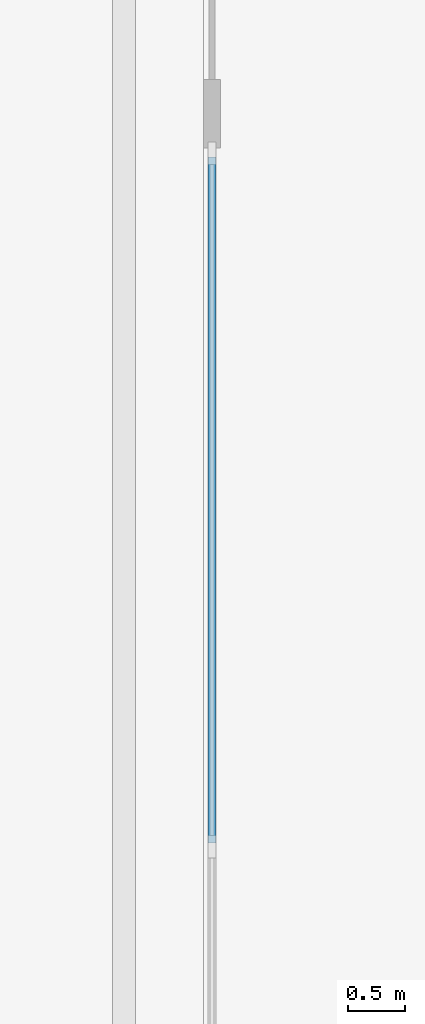
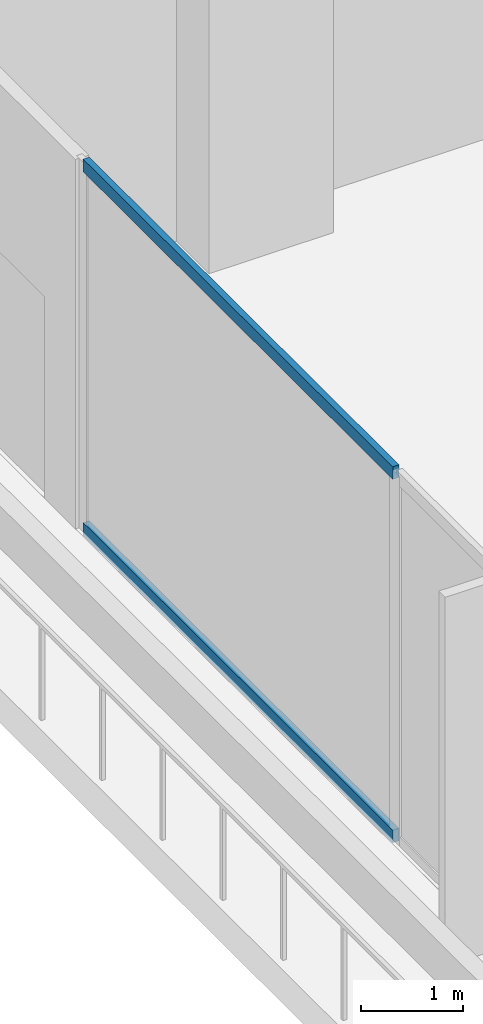
# One storey, part 3 of 31: 2 members, 1 element without a shape of its own.
"""IFC4 building model written with IfcOpenShell, lengths in metres."""

from ifc_helpers import new_model, si_unit, direction, frame, origin, origin_2d, place, context, subcontext, project, spatial, rectangle, extrude, material, layer, layer_set, material_profile, profile_set, type_object, element, aggregate, save


model = new_model("IFC4")

# Units and contexts
model_context = context("Model", 3, precision=1e-05, world=origin(), true_north=direction((0.0, 1.0)))
body_context = subcontext(model_context, "Body", "Model", "MODEL_VIEW")
ifc_project = project(units=[si_unit("LENGTHUNIT", "METRE"), si_unit("AREAUNIT", "SQUARE_METRE"), si_unit("VOLUMEUNIT", "CUBIC_METRE"), si_unit("PLANEANGLEUNIT", "RADIAN"), si_unit("MASSUNIT", "GRAM", prefix="KILO")], contexts=[model_context])

# Site, building, storey
site_placement = place(None, origin())
site = spatial("IfcSite", under=ifc_project, at=site_placement, CompositionType="ELEMENT")
building_placement = place(site_placement, origin())
building = spatial("IfcBuilding", under=site, at=building_placement, Name="Chenar Terraces", CompositionType="ELEMENT")
storey_placement = place(building_placement, frame((0.0, 0.0, 7.199951171875)))
storey = spatial("IfcBuildingStorey", under=building, at=storey_placement, Name="L01", CompositionType="ELEMENT", Elevation=7.199951171875)

# Curtain wall, members
ifc_material_1 = material(Name="Aluminium framed glazing", Category="aluminium")
ifc_layer = layer(ifc_material_1, 0.14990234375)
ifc_layer_set = layer_set([ifc_layer], Name="Aluminium framed glazing")
curtain_wall_type = type_object("IfcCurtainWallType", Name="School curtain wall", PredefinedType="NOTDEFINED", material=ifc_layer_set)
curtain_wall_placement = place(storey_placement, origin())
curtain_wall = element("IfcCurtainWall", 1, at=curtain_wall_placement, inside=storey, type_object=curtain_wall_type, Name="School curtain wall", PredefinedType="NOTDEFINED")
ifc_material_2 = material(Name="Aluminium", Category="aluminium")
ifc_material_profile = material_profile(ifc_material_2, rectangle(XDim=0.070068359375, YDim=0.14990234375, at=origin_2d()), Name="School glazing transom 70 x 150")
ifc_profile_set = profile_set([ifc_material_profile], Name="Aluminium")
member_type = type_object("IfcMemberType", Name="School glazing transom 70 x 150", PredefinedType="USERDEFINED", material=ifc_profile_set)
member_1_placement = place(storey_placement, frame((-12.925048828125, 20.11083984375, 0.03515625), z_axis=(0.0, -1.0, 0.0), x_axis=(1.0, 0.0, 0.0)))
member_1 = element("IfcMember", 2, at=member_1_placement, type_object=member_type, Name="CW2-04c3 transom 1.1", ObjectType="TRANSOM", PredefinedType="USERDEFINED", context=body_context, shape_type="SweptSolid", body=[
    extrude(rectangle(XDim=0.070068359375, YDim=0.14990234375, at=origin_2d()), origin(), (0.0, 0.0, 1.0), 6.042236328125),
])
member_2_placement = place(storey_placement, frame((-12.925048828125, 20.11083984375, 4.364990234375), z_axis=(0.0, -1.0, 0.0), x_axis=(1.0, 0.0, 0.0)))
member_2 = element("IfcMember", 3, at=member_2_placement, type_object=member_type, Name="CW2-04c3 transom 1.2", ObjectType="TRANSOM", PredefinedType="USERDEFINED", context=body_context, shape_type="SweptSolid", body=[
    extrude(rectangle(XDim=0.070068359375, YDim=0.14990234375, at=origin_2d()), origin(), (0.0, 0.0, 1.0), 6.042236328125),
])
aggregate(curtain_wall, [member_1, member_2])

save(model, "model.ifc")
